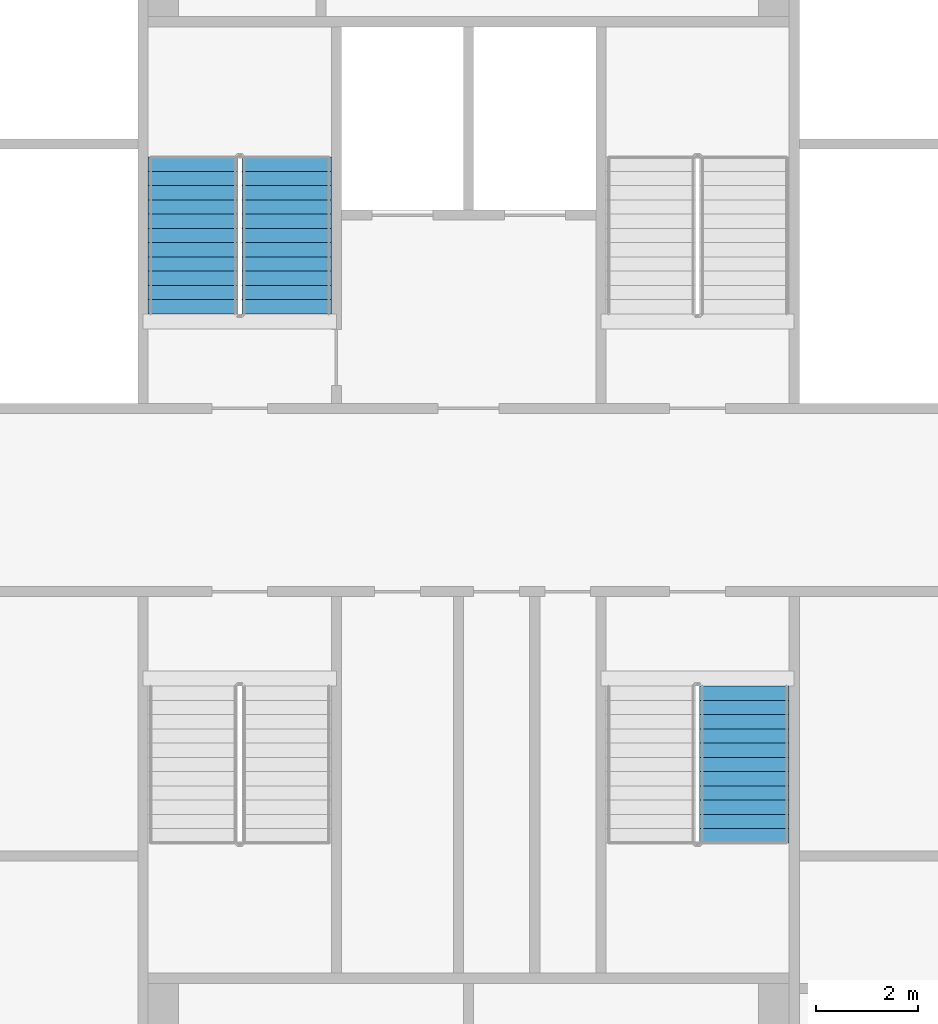
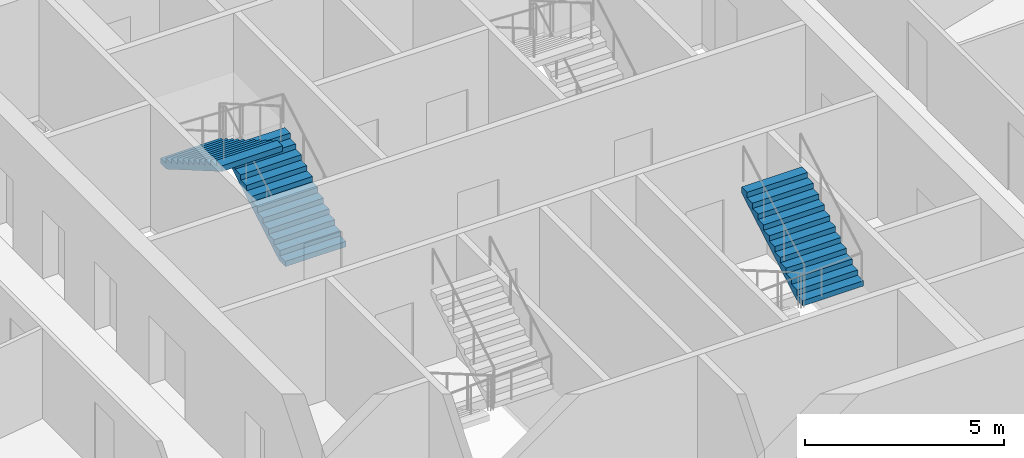
# One storey, part 17 of 23: 3 stair flights, 2 elements without a shape of their own.
"""IFC4 building model written with IfcOpenShell, lengths in metres."""

from ifc_helpers import new_model, si_unit, direction, frame, origin, place, context, subcontext, project, spatial, faceted_brep, material, type_object, element, aggregate, save


model = new_model("IFC4")

# Units and contexts
model_context = context("Model", 3, precision=1e-05, world=origin(), true_north=direction((0.0, 1.0)))
body_context = subcontext(model_context, "Body", "Model", "MODEL_VIEW")
ifc_project = project(units=[si_unit("LENGTHUNIT", "METRE"), si_unit("AREAUNIT", "SQUARE_METRE"), si_unit("VOLUMEUNIT", "CUBIC_METRE"), si_unit("PLANEANGLEUNIT", "RADIAN"), si_unit("MASSUNIT", "GRAM", prefix="KILO")], contexts=[model_context])

# Site, building, storey
site_placement = place(None, origin())
site = spatial("IfcSite", under=ifc_project, at=site_placement, CompositionType="ELEMENT")
building_placement = place(site_placement, origin())
building = spatial("IfcBuilding", under=site, at=building_placement, Name="Tarsis Ring Headquarters", CompositionType="ELEMENT")
storey_placement = place(building_placement, frame((0.0, 0.0, 323.60009765625)))
storey = spatial("IfcBuildingStorey", under=building, at=storey_placement, Name="L76", CompositionType="ELEMENT", Elevation=323.60009765625)

# Stair, stair flights
ifc_material_1 = material(Name="Core stair 1760")
stair_type = type_object("IfcStairType", Name="Core stair 1760", PredefinedType="HALF_TURN_STAIR", material=ifc_material_1)
stair_1_placement = place(storey_placement, origin())
stair_1 = element("IfcStair", 1, at=stair_1_placement, inside=storey, type_object=stair_type, Name="L76 Firefighting stair", PredefinedType="HALF_TURN_STAIR")
ifc_material_2 = material(Name="Concrete C40/50", Category="concrete")
stair_flight_type = type_object("IfcStairFlightType", Name="Core stair flight 1760", PredefinedType="STRAIGHT", material=ifc_material_2)
stair_flight_1_placement = place(storey_placement, frame((-3.580078125, 3.659912109375, 0.0), z_axis=(0.0, 0.0, 1.0), x_axis=(0.0, 1.0, 0.0)))
stair_flight_1 = element("IfcStairFlight", 2, at=stair_flight_1_placement, type_object=stair_flight_type, Name="Stair ST1 flight 1", NumberOfRisers=12, NumberOfTreads=11, PredefinedType="STRAIGHT", RiserHeight=0.1625, TreadLength=0.28, context=body_context, shape_type="Brep", body=[
    faceted_brep([(0.0, 0.8798828125, 0.0), (0.0, 0.8798828125, 0.16259765625), (0.280029296875, 0.8798828125, 0.16259765625), (0.280029296875, 0.8798828125, 0.324951171875), (0.56005859375, 0.8798828125, 0.324951171875), (0.56005859375, 0.8798828125, 0.487548828125), (0.840087890625, 0.8798828125, 0.487548828125), (0.840087890625, 0.8798828125, 0.64990234375), (1.1201171875, 0.8798828125, 0.64990234375), (1.1201171875, 0.8798828125, 0.8125), (1.39990234375, 0.8798828125, 0.8125), (1.39990234375, 0.8798828125, 0.97509765625), (1.679931640625, 0.8798828125, 0.97509765625), (1.679931640625, 0.8798828125, 1.137451171875), (1.9599609375, 0.8798828125, 1.137451171875), (1.9599609375, 0.8798828125, 1.300048828125), (2.239990234375, 0.8798828125, 1.300048828125), (2.239990234375, 0.8798828125, 1.46240234375), (2.52001953125, 0.8798828125, 1.46240234375), (2.52001953125, 0.8798828125, 1.625), (2.800048828125, 0.8798828125, 1.625), (2.800048828125, 0.8798828125, 1.78759765625), (3.080078125, 0.8798828125, 1.78759765625), (3.080078125, 0.8798828125, 1.6142578125), (0.298583984375, 0.8798828125, 0.0), (0.298583984375, -0.8798828125, 0.0), (3.080078125, -0.8798828125, 1.6142578125), (3.080078125, -0.8798828125, 1.78759765625), (2.800048828125, -0.8798828125, 1.78759765625), (2.800048828125, -0.8798828125, 1.625), (2.52001953125, -0.8798828125, 1.625), (2.52001953125, -0.8798828125, 1.46240234375), (2.239990234375, -0.8798828125, 1.46240234375), (2.239990234375, -0.8798828125, 1.300048828125), (1.9599609375, -0.8798828125, 1.300048828125), (1.9599609375, -0.8798828125, 1.137451171875), (1.679931640625, -0.8798828125, 1.137451171875), (1.679931640625, -0.8798828125, 0.97509765625), (1.39990234375, -0.8798828125, 0.97509765625), (1.39990234375, -0.8798828125, 0.8125), (1.1201171875, -0.8798828125, 0.8125), (1.1201171875, -0.8798828125, 0.64990234375), (0.840087890625, -0.8798828125, 0.64990234375), (0.840087890625, -0.8798828125, 0.487548828125), (0.56005859375, -0.8798828125, 0.487548828125), (0.56005859375, -0.8798828125, 0.324951171875), (0.280029296875, -0.8798828125, 0.324951171875), (0.280029296875, -0.8798828125, 0.16259765625), (0.0, -0.8798828125, 0.16259765625), (0.0, -0.8798828125, 0.0), (0.0, -0.43994140625, 0.16259765625), (0.0, -0.43994140625, 0.0), (0.0, 0.0, 0.16259765625), (0.0, 0.0, 0.0), (0.0, 0.43994140625, 0.16259765625), (0.0, 0.43994140625, 0.0), (0.280029296875, -0.43994140625, 0.16259765625), (0.280029296875, 0.0, 0.16259765625), (0.280029296875, 0.43994140625, 0.16259765625), (0.280029296875, -0.43994140625, 0.324951171875), (0.280029296875, 0.0, 0.324951171875), (0.280029296875, 0.43994140625, 0.324951171875), (0.56005859375, -0.43994140625, 0.324951171875), (0.56005859375, 0.0, 0.324951171875), (0.56005859375, 0.43994140625, 0.324951171875), (0.56005859375, -0.43994140625, 0.487548828125), (0.56005859375, 0.0, 0.487548828125), (0.56005859375, 0.43994140625, 0.487548828125), (0.840087890625, -0.43994140625, 0.487548828125), (0.840087890625, 0.0, 0.487548828125), (0.840087890625, 0.43994140625, 0.487548828125), (0.840087890625, -0.43994140625, 0.64990234375), (0.840087890625, 0.0, 0.64990234375), (0.840087890625, 0.43994140625, 0.64990234375), (1.1201171875, -0.43994140625, 0.64990234375), (1.1201171875, 0.0, 0.64990234375), (1.1201171875, 0.43994140625, 0.64990234375), (1.1201171875, -0.43994140625, 0.8125), (1.1201171875, 0.0, 0.8125), (1.1201171875, 0.43994140625, 0.8125), (1.39990234375, -0.43994140625, 0.8125), (1.39990234375, 0.0, 0.8125), (1.39990234375, 0.43994140625, 0.8125), (1.39990234375, -0.43994140625, 0.97509765625), (1.39990234375, 0.0, 0.97509765625), (1.39990234375, 0.43994140625, 0.97509765625), (1.679931640625, -0.43994140625, 0.97509765625), (1.679931640625, 0.0, 0.97509765625), (1.679931640625, 0.43994140625, 0.97509765625), (1.679931640625, -0.43994140625, 1.137451171875), (1.679931640625, 0.0, 1.137451171875), (1.679931640625, 0.43994140625, 1.137451171875), (1.9599609375, -0.43994140625, 1.137451171875), (1.9599609375, 0.0, 1.137451171875), (1.9599609375, 0.43994140625, 1.137451171875), (1.9599609375, -0.43994140625, 1.300048828125), (1.9599609375, 0.0, 1.300048828125), (1.9599609375, 0.43994140625, 1.300048828125), (2.239990234375, -0.43994140625, 1.300048828125), (2.239990234375, 0.0, 1.300048828125), (2.239990234375, 0.43994140625, 1.300048828125), (2.239990234375, -0.43994140625, 1.46240234375), (2.239990234375, 0.0, 1.46240234375), (2.239990234375, 0.43994140625, 1.46240234375), (2.52001953125, -0.43994140625, 1.46240234375), (2.52001953125, 0.0, 1.46240234375), (2.52001953125, 0.43994140625, 1.46240234375), (2.52001953125, -0.43994140625, 1.625), (2.52001953125, 0.0, 1.625), (2.52001953125, 0.43994140625, 1.625), (2.800048828125, -0.43994140625, 1.625), (2.800048828125, 0.0, 1.625), (2.800048828125, 0.43994140625, 1.625), (2.800048828125, -0.43994140625, 1.78759765625), (2.800048828125, 0.0, 1.78759765625), (2.800048828125, 0.43994140625, 1.78759765625), (3.080078125, -0.43994140625, 1.78759765625), (3.080078125, 0.0, 1.78759765625), (3.080078125, 0.43994140625, 1.78759765625), (3.080078125, -0.43994140625, 1.6142578125), (3.080078125, 0.0, 1.6142578125), (3.080078125, 0.43994140625, 1.6142578125), (0.298583984375, -0.43994140625, 0.0), (0.298583984375, 0.0, 0.0), (0.298583984375, 0.43994140625, 0.0)], [[[0, 1, 2, 3, 4, 5, 6, 7, 8, 9, 10, 11, 12, 13, 14, 15, 16, 17, 18, 19, 20, 21, 22, 23, 24]], [[25, 26, 27, 28, 29, 30, 31, 32, 33, 34, 35, 36, 37, 38, 39, 40, 41, 42, 43, 44, 45, 46, 47, 48, 49]], [[49, 48, 50, 51]], [[51, 50, 52, 53]], [[53, 52, 54, 55]], [[55, 54, 1, 0]], [[48, 47, 56, 50]], [[50, 56, 57, 52]], [[52, 57, 58, 54]], [[54, 58, 2, 1]], [[47, 46, 59, 56]], [[56, 59, 60, 57]], [[57, 60, 61, 58]], [[58, 61, 3, 2]], [[46, 45, 62, 59]], [[59, 62, 63, 60]], [[60, 63, 64, 61]], [[61, 64, 4, 3]], [[45, 44, 65, 62]], [[62, 65, 66, 63]], [[63, 66, 67, 64]], [[64, 67, 5, 4]], [[44, 43, 68, 65]], [[65, 68, 69, 66]], [[66, 69, 70, 67]], [[67, 70, 6, 5]], [[43, 42, 71, 68]], [[68, 71, 72, 69]], [[69, 72, 73, 70]], [[70, 73, 7, 6]], [[42, 41, 74, 71]], [[71, 74, 75, 72]], [[72, 75, 76, 73]], [[73, 76, 8, 7]], [[41, 40, 77, 74]], [[74, 77, 78, 75]], [[75, 78, 79, 76]], [[76, 79, 9, 8]], [[40, 39, 80, 77]], [[77, 80, 81, 78]], [[78, 81, 82, 79]], [[79, 82, 10, 9]], [[39, 38, 83, 80]], [[80, 83, 84, 81]], [[81, 84, 85, 82]], [[82, 85, 11, 10]], [[38, 37, 86, 83]], [[83, 86, 87, 84]], [[84, 87, 88, 85]], [[85, 88, 12, 11]], [[37, 36, 89, 86]], [[86, 89, 90, 87]], [[87, 90, 91, 88]], [[88, 91, 13, 12]], [[36, 35, 92, 89]], [[89, 92, 93, 90]], [[90, 93, 94, 91]], [[91, 94, 14, 13]], [[35, 34, 95, 92]], [[92, 95, 96, 93]], [[93, 96, 97, 94]], [[94, 97, 15, 14]], [[34, 33, 98, 95]], [[95, 98, 99, 96]], [[96, 99, 100, 97]], [[97, 100, 16, 15]], [[33, 32, 101, 98]], [[98, 101, 102, 99]], [[99, 102, 103, 100]], [[100, 103, 17, 16]], [[32, 31, 104, 101]], [[101, 104, 105, 102]], [[102, 105, 106, 103]], [[103, 106, 18, 17]], [[31, 30, 107, 104]], [[104, 107, 108, 105]], [[105, 108, 109, 106]], [[106, 109, 19, 18]], [[30, 29, 110, 107]], [[107, 110, 111, 108]], [[108, 111, 112, 109]], [[109, 112, 20, 19]], [[29, 28, 113, 110]], [[110, 113, 114, 111]], [[111, 114, 115, 112]], [[112, 115, 21, 20]], [[28, 27, 116, 113]], [[113, 116, 117, 114]], [[114, 117, 118, 115]], [[115, 118, 22, 21]], [[27, 26, 119, 116]], [[116, 119, 120, 117]], [[117, 120, 121, 118]], [[118, 121, 23, 22]], [[26, 25, 122, 119]], [[119, 122, 123, 120]], [[120, 123, 124, 121]], [[121, 124, 24, 23]], [[25, 49, 51, 122]], [[122, 51, 53, 123]], [[123, 53, 55, 124]], [[124, 55, 0, 24]]]),
])
stair_flight_2_placement = place(storey_placement, frame((-5.419921875, 6.739990234375, 1.949951171875), z_axis=(0.0, 0.0, 1.0), x_axis=(0.0, -1.0, 0.0)))
stair_flight_2 = element("IfcStairFlight", 3, at=stair_flight_2_placement, type_object=stair_flight_type, Name="Stair ST1 flight 2", NumberOfRisers=12, NumberOfTreads=11, PredefinedType="STRAIGHT", RiserHeight=0.1625, TreadLength=0.28, context=body_context, shape_type="Brep", body=[
    faceted_brep([(0.0, 0.8798828125, 0.0), (0.0, 0.8798828125, 0.16259765625), (0.280029296875, 0.8798828125, 0.16259765625), (0.280029296875, 0.8798828125, 0.324951171875), (0.56005859375, 0.8798828125, 0.324951171875), (0.56005859375, 0.8798828125, 0.487548828125), (0.840087890625, 0.8798828125, 0.487548828125), (0.840087890625, 0.8798828125, 0.64990234375), (1.1201171875, 0.8798828125, 0.64990234375), (1.1201171875, 0.8798828125, 0.8125), (1.39990234375, 0.8798828125, 0.8125), (1.39990234375, 0.8798828125, 0.97509765625), (1.679931640625, 0.8798828125, 0.97509765625), (1.679931640625, 0.8798828125, 1.137451171875), (1.9599609375, 0.8798828125, 1.137451171875), (1.9599609375, 0.8798828125, 1.300048828125), (2.239990234375, 0.8798828125, 1.300048828125), (2.239990234375, 0.8798828125, 1.46240234375), (2.52001953125, 0.8798828125, 1.46240234375), (2.52001953125, 0.8798828125, 1.625), (2.800048828125, 0.8798828125, 1.625), (2.800048828125, 0.8798828125, 1.78759765625), (3.080078125, 0.8798828125, 1.78759765625), (3.080078125, 0.8798828125, 1.6142578125), (0.298583984375, 0.8798828125, 0.0), (0.298583984375, -0.8798828125, 0.0), (3.080078125, -0.8798828125, 1.6142578125), (3.080078125, -0.8798828125, 1.78759765625), (2.800048828125, -0.8798828125, 1.78759765625), (2.800048828125, -0.8798828125, 1.625), (2.52001953125, -0.8798828125, 1.625), (2.52001953125, -0.8798828125, 1.46240234375), (2.239990234375, -0.8798828125, 1.46240234375), (2.239990234375, -0.8798828125, 1.300048828125), (1.9599609375, -0.8798828125, 1.300048828125), (1.9599609375, -0.8798828125, 1.137451171875), (1.679931640625, -0.8798828125, 1.137451171875), (1.679931640625, -0.8798828125, 0.97509765625), (1.39990234375, -0.8798828125, 0.97509765625), (1.39990234375, -0.8798828125, 0.8125), (1.1201171875, -0.8798828125, 0.8125), (1.1201171875, -0.8798828125, 0.64990234375), (0.840087890625, -0.8798828125, 0.64990234375), (0.840087890625, -0.8798828125, 0.487548828125), (0.56005859375, -0.8798828125, 0.487548828125), (0.56005859375, -0.8798828125, 0.324951171875), (0.280029296875, -0.8798828125, 0.324951171875), (0.280029296875, -0.8798828125, 0.16259765625), (0.0, -0.8798828125, 0.16259765625), (0.0, -0.8798828125, 0.0), (0.0, -0.43994140625, 0.16259765625), (0.0, -0.43994140625, 0.0), (0.0, 0.0, 0.16259765625), (0.0, 0.0, 0.0), (0.0, 0.43994140625, 0.16259765625), (0.0, 0.43994140625, 0.0), (0.280029296875, -0.43994140625, 0.16259765625), (0.280029296875, 0.0, 0.16259765625), (0.280029296875, 0.43994140625, 0.16259765625), (0.280029296875, -0.43994140625, 0.324951171875), (0.280029296875, 0.0, 0.324951171875), (0.280029296875, 0.43994140625, 0.324951171875), (0.56005859375, -0.43994140625, 0.324951171875), (0.56005859375, 0.0, 0.324951171875), (0.56005859375, 0.43994140625, 0.324951171875), (0.56005859375, -0.43994140625, 0.487548828125), (0.56005859375, 0.0, 0.487548828125), (0.56005859375, 0.43994140625, 0.487548828125), (0.840087890625, -0.43994140625, 0.487548828125), (0.840087890625, 0.0, 0.487548828125), (0.840087890625, 0.43994140625, 0.487548828125), (0.840087890625, -0.43994140625, 0.64990234375), (0.840087890625, 0.0, 0.64990234375), (0.840087890625, 0.43994140625, 0.64990234375), (1.1201171875, -0.43994140625, 0.64990234375), (1.1201171875, 0.0, 0.64990234375), (1.1201171875, 0.43994140625, 0.64990234375), (1.1201171875, -0.43994140625, 0.8125), (1.1201171875, 0.0, 0.8125), (1.1201171875, 0.43994140625, 0.8125), (1.39990234375, -0.43994140625, 0.8125), (1.39990234375, 0.0, 0.8125), (1.39990234375, 0.43994140625, 0.8125), (1.39990234375, -0.43994140625, 0.97509765625), (1.39990234375, 0.0, 0.97509765625), (1.39990234375, 0.43994140625, 0.97509765625), (1.679931640625, -0.43994140625, 0.97509765625), (1.679931640625, 0.0, 0.97509765625), (1.679931640625, 0.43994140625, 0.97509765625), (1.679931640625, -0.43994140625, 1.137451171875), (1.679931640625, 0.0, 1.137451171875), (1.679931640625, 0.43994140625, 1.137451171875), (1.9599609375, -0.43994140625, 1.137451171875), (1.9599609375, 0.0, 1.137451171875), (1.9599609375, 0.43994140625, 1.137451171875), (1.9599609375, -0.43994140625, 1.300048828125), (1.9599609375, 0.0, 1.300048828125), (1.9599609375, 0.43994140625, 1.300048828125), (2.239990234375, -0.43994140625, 1.300048828125), (2.239990234375, 0.0, 1.300048828125), (2.239990234375, 0.43994140625, 1.300048828125), (2.239990234375, -0.43994140625, 1.46240234375), (2.239990234375, 0.0, 1.46240234375), (2.239990234375, 0.43994140625, 1.46240234375), (2.52001953125, -0.43994140625, 1.46240234375), (2.52001953125, 0.0, 1.46240234375), (2.52001953125, 0.43994140625, 1.46240234375), (2.52001953125, -0.43994140625, 1.625), (2.52001953125, 0.0, 1.625), (2.52001953125, 0.43994140625, 1.625), (2.800048828125, -0.43994140625, 1.625), (2.800048828125, 0.0, 1.625), (2.800048828125, 0.43994140625, 1.625), (2.800048828125, -0.43994140625, 1.78759765625), (2.800048828125, 0.0, 1.78759765625), (2.800048828125, 0.43994140625, 1.78759765625), (3.080078125, -0.43994140625, 1.78759765625), (3.080078125, 0.0, 1.78759765625), (3.080078125, 0.43994140625, 1.78759765625), (3.080078125, -0.43994140625, 1.6142578125), (3.080078125, 0.0, 1.6142578125), (3.080078125, 0.43994140625, 1.6142578125), (0.298583984375, -0.43994140625, 0.0), (0.298583984375, 0.0, 0.0), (0.298583984375, 0.43994140625, 0.0)], [[[0, 1, 2, 3, 4, 5, 6, 7, 8, 9, 10, 11, 12, 13, 14, 15, 16, 17, 18, 19, 20, 21, 22, 23, 24]], [[25, 26, 27, 28, 29, 30, 31, 32, 33, 34, 35, 36, 37, 38, 39, 40, 41, 42, 43, 44, 45, 46, 47, 48, 49]], [[49, 48, 50, 51]], [[51, 50, 52, 53]], [[53, 52, 54, 55]], [[55, 54, 1, 0]], [[48, 47, 56, 50]], [[50, 56, 57, 52]], [[52, 57, 58, 54]], [[54, 58, 2, 1]], [[47, 46, 59, 56]], [[56, 59, 60, 57]], [[57, 60, 61, 58]], [[58, 61, 3, 2]], [[46, 45, 62, 59]], [[59, 62, 63, 60]], [[60, 63, 64, 61]], [[61, 64, 4, 3]], [[45, 44, 65, 62]], [[62, 65, 66, 63]], [[63, 66, 67, 64]], [[64, 67, 5, 4]], [[44, 43, 68, 65]], [[65, 68, 69, 66]], [[66, 69, 70, 67]], [[67, 70, 6, 5]], [[43, 42, 71, 68]], [[68, 71, 72, 69]], [[69, 72, 73, 70]], [[70, 73, 7, 6]], [[42, 41, 74, 71]], [[71, 74, 75, 72]], [[72, 75, 76, 73]], [[73, 76, 8, 7]], [[41, 40, 77, 74]], [[74, 77, 78, 75]], [[75, 78, 79, 76]], [[76, 79, 9, 8]], [[40, 39, 80, 77]], [[77, 80, 81, 78]], [[78, 81, 82, 79]], [[79, 82, 10, 9]], [[39, 38, 83, 80]], [[80, 83, 84, 81]], [[81, 84, 85, 82]], [[82, 85, 11, 10]], [[38, 37, 86, 83]], [[83, 86, 87, 84]], [[84, 87, 88, 85]], [[85, 88, 12, 11]], [[37, 36, 89, 86]], [[86, 89, 90, 87]], [[87, 90, 91, 88]], [[88, 91, 13, 12]], [[36, 35, 92, 89]], [[89, 92, 93, 90]], [[90, 93, 94, 91]], [[91, 94, 14, 13]], [[35, 34, 95, 92]], [[92, 95, 96, 93]], [[93, 96, 97, 94]], [[94, 97, 15, 14]], [[34, 33, 98, 95]], [[95, 98, 99, 96]], [[96, 99, 100, 97]], [[97, 100, 16, 15]], [[33, 32, 101, 98]], [[98, 101, 102, 99]], [[99, 102, 103, 100]], [[100, 103, 17, 16]], [[32, 31, 104, 101]], [[101, 104, 105, 102]], [[102, 105, 106, 103]], [[103, 106, 18, 17]], [[31, 30, 107, 104]], [[104, 107, 108, 105]], [[105, 108, 109, 106]], [[106, 109, 19, 18]], [[30, 29, 110, 107]], [[107, 110, 111, 108]], [[108, 111, 112, 109]], [[109, 112, 20, 19]], [[29, 28, 113, 110]], [[110, 113, 114, 111]], [[111, 114, 115, 112]], [[112, 115, 21, 20]], [[28, 27, 116, 113]], [[113, 116, 117, 114]], [[114, 117, 118, 115]], [[115, 118, 22, 21]], [[27, 26, 119, 116]], [[116, 119, 120, 117]], [[117, 120, 121, 118]], [[118, 121, 23, 22]], [[26, 25, 122, 119]], [[119, 122, 123, 120]], [[120, 123, 124, 121]], [[121, 124, 24, 23]], [[25, 49, 51, 122]], [[122, 51, 53, 123]], [[123, 53, 55, 124]], [[124, 55, 0, 24]]]),
])
aggregate(stair_1, [stair_flight_1, stair_flight_2])

# Stair, stair flight
stair_2_placement = place(storey_placement, origin())
stair_2 = element("IfcStair", 4, at=stair_2_placement, inside=storey, type_object=stair_type, Name="L76 Exit stair D", PredefinedType="HALF_TURN_STAIR")
stair_flight_3_placement = place(storey_placement, frame((5.419921875, -6.739990234375, 1.949951171875), z_axis=(0.0, 0.0, 1.0), x_axis=(0.0, 1.0, 0.0)))
stair_flight_3 = element("IfcStairFlight", 5, at=stair_flight_3_placement, type_object=stair_flight_type, Name="Stair ST4 flight 2", NumberOfRisers=12, NumberOfTreads=11, PredefinedType="STRAIGHT", RiserHeight=0.1625, TreadLength=0.28, context=body_context, shape_type="Brep", body=[
    faceted_brep([(0.0, 0.8798828125, 0.0), (0.0, 0.8798828125, 0.16259765625), (0.280029296875, 0.8798828125, 0.16259765625), (0.280029296875, 0.8798828125, 0.324951171875), (0.56005859375, 0.8798828125, 0.324951171875), (0.56005859375, 0.8798828125, 0.487548828125), (0.840087890625, 0.8798828125, 0.487548828125), (0.840087890625, 0.8798828125, 0.64990234375), (1.1201171875, 0.8798828125, 0.64990234375), (1.1201171875, 0.8798828125, 0.8125), (1.39990234375, 0.8798828125, 0.8125), (1.39990234375, 0.8798828125, 0.97509765625), (1.679931640625, 0.8798828125, 0.97509765625), (1.679931640625, 0.8798828125, 1.137451171875), (1.9599609375, 0.8798828125, 1.137451171875), (1.9599609375, 0.8798828125, 1.300048828125), (2.239990234375, 0.8798828125, 1.300048828125), (2.239990234375, 0.8798828125, 1.46240234375), (2.52001953125, 0.8798828125, 1.46240234375), (2.52001953125, 0.8798828125, 1.625), (2.800048828125, 0.8798828125, 1.625), (2.800048828125, 0.8798828125, 1.78759765625), (3.080078125, 0.8798828125, 1.78759765625), (3.080078125, 0.8798828125, 1.6142578125), (0.298583984375, 0.8798828125, 0.0), (0.298583984375, -0.8798828125, 0.0), (3.080078125, -0.8798828125, 1.6142578125), (3.080078125, -0.8798828125, 1.78759765625), (2.800048828125, -0.8798828125, 1.78759765625), (2.800048828125, -0.8798828125, 1.625), (2.52001953125, -0.8798828125, 1.625), (2.52001953125, -0.8798828125, 1.46240234375), (2.239990234375, -0.8798828125, 1.46240234375), (2.239990234375, -0.8798828125, 1.300048828125), (1.9599609375, -0.8798828125, 1.300048828125), (1.9599609375, -0.8798828125, 1.137451171875), (1.679931640625, -0.8798828125, 1.137451171875), (1.679931640625, -0.8798828125, 0.97509765625), (1.39990234375, -0.8798828125, 0.97509765625), (1.39990234375, -0.8798828125, 0.8125), (1.1201171875, -0.8798828125, 0.8125), (1.1201171875, -0.8798828125, 0.64990234375), (0.840087890625, -0.8798828125, 0.64990234375), (0.840087890625, -0.8798828125, 0.487548828125), (0.56005859375, -0.8798828125, 0.487548828125), (0.56005859375, -0.8798828125, 0.324951171875), (0.280029296875, -0.8798828125, 0.324951171875), (0.280029296875, -0.8798828125, 0.16259765625), (0.0, -0.8798828125, 0.16259765625), (0.0, -0.8798828125, 0.0), (0.0, -0.43994140625, 0.16259765625), (0.0, -0.43994140625, 0.0), (0.0, 0.0, 0.16259765625), (0.0, 0.0, 0.0), (0.0, 0.43994140625, 0.16259765625), (0.0, 0.43994140625, 0.0), (0.280029296875, -0.43994140625, 0.16259765625), (0.280029296875, 0.0, 0.16259765625), (0.280029296875, 0.43994140625, 0.16259765625), (0.280029296875, -0.43994140625, 0.324951171875), (0.280029296875, 0.0, 0.324951171875), (0.280029296875, 0.43994140625, 0.324951171875), (0.56005859375, -0.43994140625, 0.324951171875), (0.56005859375, 0.0, 0.324951171875), (0.56005859375, 0.43994140625, 0.324951171875), (0.56005859375, -0.43994140625, 0.487548828125), (0.56005859375, 0.0, 0.487548828125), (0.56005859375, 0.43994140625, 0.487548828125), (0.840087890625, -0.43994140625, 0.487548828125), (0.840087890625, 0.0, 0.487548828125), (0.840087890625, 0.43994140625, 0.487548828125), (0.840087890625, -0.43994140625, 0.64990234375), (0.840087890625, 0.0, 0.64990234375), (0.840087890625, 0.43994140625, 0.64990234375), (1.1201171875, -0.43994140625, 0.64990234375), (1.1201171875, 0.0, 0.64990234375), (1.1201171875, 0.43994140625, 0.64990234375), (1.1201171875, -0.43994140625, 0.8125), (1.1201171875, 0.0, 0.8125), (1.1201171875, 0.43994140625, 0.8125), (1.39990234375, -0.43994140625, 0.8125), (1.39990234375, 0.0, 0.8125), (1.39990234375, 0.43994140625, 0.8125), (1.39990234375, -0.43994140625, 0.97509765625), (1.39990234375, 0.0, 0.97509765625), (1.39990234375, 0.43994140625, 0.97509765625), (1.679931640625, -0.43994140625, 0.97509765625), (1.679931640625, 0.0, 0.97509765625), (1.679931640625, 0.43994140625, 0.97509765625), (1.679931640625, -0.43994140625, 1.137451171875), (1.679931640625, 0.0, 1.137451171875), (1.679931640625, 0.43994140625, 1.137451171875), (1.9599609375, -0.43994140625, 1.137451171875), (1.9599609375, 0.0, 1.137451171875), (1.9599609375, 0.43994140625, 1.137451171875), (1.9599609375, -0.43994140625, 1.300048828125), (1.9599609375, 0.0, 1.300048828125), (1.9599609375, 0.43994140625, 1.300048828125), (2.239990234375, -0.43994140625, 1.300048828125), (2.239990234375, 0.0, 1.300048828125), (2.239990234375, 0.43994140625, 1.300048828125), (2.239990234375, -0.43994140625, 1.46240234375), (2.239990234375, 0.0, 1.46240234375), (2.239990234375, 0.43994140625, 1.46240234375), (2.52001953125, -0.43994140625, 1.46240234375), (2.52001953125, 0.0, 1.46240234375), (2.52001953125, 0.43994140625, 1.46240234375), (2.52001953125, -0.43994140625, 1.625), (2.52001953125, 0.0, 1.625), (2.52001953125, 0.43994140625, 1.625), (2.800048828125, -0.43994140625, 1.625), (2.800048828125, 0.0, 1.625), (2.800048828125, 0.43994140625, 1.625), (2.800048828125, -0.43994140625, 1.78759765625), (2.800048828125, 0.0, 1.78759765625), (2.800048828125, 0.43994140625, 1.78759765625), (3.080078125, -0.43994140625, 1.78759765625), (3.080078125, 0.0, 1.78759765625), (3.080078125, 0.43994140625, 1.78759765625), (3.080078125, -0.43994140625, 1.6142578125), (3.080078125, 0.0, 1.6142578125), (3.080078125, 0.43994140625, 1.6142578125), (0.298583984375, -0.43994140625, 0.0), (0.298583984375, 0.0, 0.0), (0.298583984375, 0.43994140625, 0.0)], [[[0, 1, 2, 3, 4, 5, 6, 7, 8, 9, 10, 11, 12, 13, 14, 15, 16, 17, 18, 19, 20, 21, 22, 23, 24]], [[25, 26, 27, 28, 29, 30, 31, 32, 33, 34, 35, 36, 37, 38, 39, 40, 41, 42, 43, 44, 45, 46, 47, 48, 49]], [[49, 48, 50, 51]], [[51, 50, 52, 53]], [[53, 52, 54, 55]], [[55, 54, 1, 0]], [[48, 47, 56, 50]], [[50, 56, 57, 52]], [[52, 57, 58, 54]], [[54, 58, 2, 1]], [[47, 46, 59, 56]], [[56, 59, 60, 57]], [[57, 60, 61, 58]], [[58, 61, 3, 2]], [[46, 45, 62, 59]], [[59, 62, 63, 60]], [[60, 63, 64, 61]], [[61, 64, 4, 3]], [[45, 44, 65, 62]], [[62, 65, 66, 63]], [[63, 66, 67, 64]], [[64, 67, 5, 4]], [[44, 43, 68, 65]], [[65, 68, 69, 66]], [[66, 69, 70, 67]], [[67, 70, 6, 5]], [[43, 42, 71, 68]], [[68, 71, 72, 69]], [[69, 72, 73, 70]], [[70, 73, 7, 6]], [[42, 41, 74, 71]], [[71, 74, 75, 72]], [[72, 75, 76, 73]], [[73, 76, 8, 7]], [[41, 40, 77, 74]], [[74, 77, 78, 75]], [[75, 78, 79, 76]], [[76, 79, 9, 8]], [[40, 39, 80, 77]], [[77, 80, 81, 78]], [[78, 81, 82, 79]], [[79, 82, 10, 9]], [[39, 38, 83, 80]], [[80, 83, 84, 81]], [[81, 84, 85, 82]], [[82, 85, 11, 10]], [[38, 37, 86, 83]], [[83, 86, 87, 84]], [[84, 87, 88, 85]], [[85, 88, 12, 11]], [[37, 36, 89, 86]], [[86, 89, 90, 87]], [[87, 90, 91, 88]], [[88, 91, 13, 12]], [[36, 35, 92, 89]], [[89, 92, 93, 90]], [[90, 93, 94, 91]], [[91, 94, 14, 13]], [[35, 34, 95, 92]], [[92, 95, 96, 93]], [[93, 96, 97, 94]], [[94, 97, 15, 14]], [[34, 33, 98, 95]], [[95, 98, 99, 96]], [[96, 99, 100, 97]], [[97, 100, 16, 15]], [[33, 32, 101, 98]], [[98, 101, 102, 99]], [[99, 102, 103, 100]], [[100, 103, 17, 16]], [[32, 31, 104, 101]], [[101, 104, 105, 102]], [[102, 105, 106, 103]], [[103, 106, 18, 17]], [[31, 30, 107, 104]], [[104, 107, 108, 105]], [[105, 108, 109, 106]], [[106, 109, 19, 18]], [[30, 29, 110, 107]], [[107, 110, 111, 108]], [[108, 111, 112, 109]], [[109, 112, 20, 19]], [[29, 28, 113, 110]], [[110, 113, 114, 111]], [[111, 114, 115, 112]], [[112, 115, 21, 20]], [[28, 27, 116, 113]], [[113, 116, 117, 114]], [[114, 117, 118, 115]], [[115, 118, 22, 21]], [[27, 26, 119, 116]], [[116, 119, 120, 117]], [[117, 120, 121, 118]], [[118, 121, 23, 22]], [[26, 25, 122, 119]], [[119, 122, 123, 120]], [[120, 123, 124, 121]], [[121, 124, 24, 23]], [[25, 49, 51, 122]], [[122, 51, 53, 123]], [[123, 53, 55, 124]], [[124, 55, 0, 24]]]),
])
aggregate(stair_2, [stair_flight_3])

save(model, "model.ifc")
